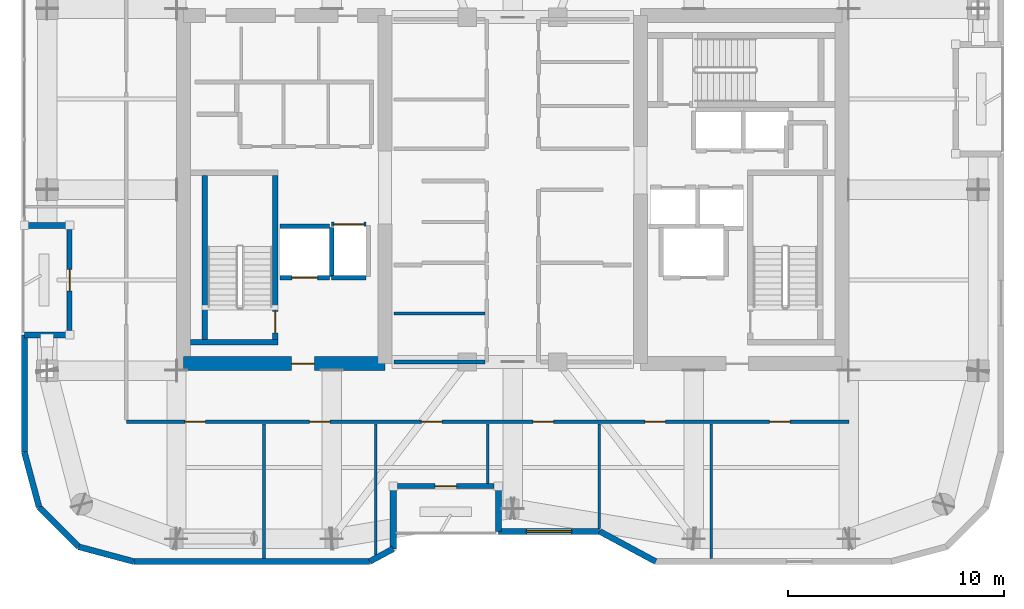
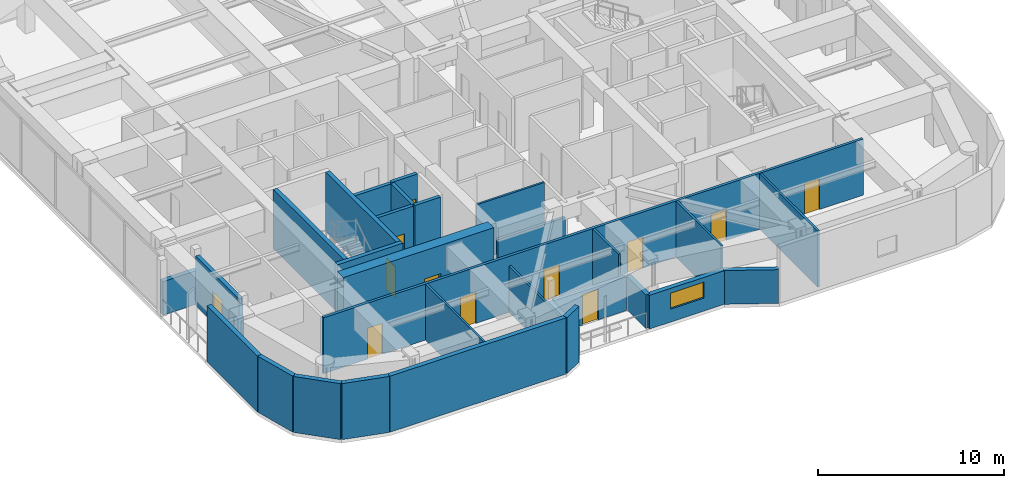
# One storey, part 15 of 21: 31 walls, 12 doors, 1 window, 13 openings.
"""IFC4 building model written with IfcOpenShell, lengths in metres."""

from ifc_helpers import new_model, si_unit, direction, frame, frame_2d, origin, place, context, subcontext, project, spatial, rectangle, extrude, material, layer, layer_set, type_object, element, fill, save


model = new_model("IFC4")

# Units and contexts
model_context = context("Model", 3, precision=1e-05, world=origin(), true_north=direction((0.0, 1.0)))
body_context = subcontext(model_context, "Body", "Model", "MODEL_VIEW")
ifc_project = project(units=[si_unit("LENGTHUNIT", "METRE"), si_unit("AREAUNIT", "SQUARE_METRE"), si_unit("VOLUMEUNIT", "CUBIC_METRE"), si_unit("PLANEANGLEUNIT", "RADIAN"), si_unit("MASSUNIT", "GRAM", prefix="KILO")], contexts=[model_context])

# Site, building, storey
site_placement = place(None, origin())
site = spatial("IfcSite", under=ifc_project, at=site_placement, CompositionType="ELEMENT")
building_placement = place(site_placement, origin())
building = spatial("IfcBuilding", under=site, at=building_placement, Name="Kiyonajd Concourse Tower", CompositionType="ELEMENT")
storey_placement = place(building_placement, frame((0.0, 0.0, 251.10009765625)))
storey = spatial("IfcBuildingStorey", under=building, at=storey_placement, Name="L63", CompositionType="ELEMENT", Elevation=251.10009765625)

# Wall, opening, door
ifc_material_1 = material(Name="Concrete C60/75", Category="concrete")
ifc_layer_1 = layer(ifc_material_1, 0.64990234375)
ifc_layer_set_1 = layer_set([ifc_layer_1], Name="Concrete C60/75")
wall_type_1 = type_object("IfcWallType", Name="WL-CORE-650", PredefinedType="SHEAR", material=ifc_layer_set_1)
wall_1_placement = place(storey_placement, frame((32.72509765625, 27.925048828125, 0.0), z_axis=(0.0, 0.0, 1.0), x_axis=(1.0, 0.0, 0.0)))
wall_1 = element("IfcWall", 1, at=wall_1_placement, inside=storey, type_object=wall_type_1, Name="L63 West Core South Shear Wall", PredefinedType="SHEAR", context=body_context, shape_type="SweptSolid", body=[
    extrude(rectangle(XDim=9.349853515625, YDim=0.64990234375, at=frame_2d((4.6748046875, 0.0))), origin(), (0.0, 0.0, 1.0), 3.89990234375),
])
opening_1_placement = place(wall_1_placement, frame((5.02490234375, 0.0, 0.0)))
opening_1 = element("IfcOpeningElement", 2, at=opening_1_placement, cuts=wall_1, Name="Opening DF5", PredefinedType="OPENING", context=body_context, shape_type="SweptSolid", body=[
    extrude(rectangle(XDim=1.050048828125, YDim=2.0400390625, at=frame_2d((0.52490234375, 1.02001953125))), frame((0.0, 0.3349609375, 0.0), z_axis=(0.0, -1.0, 0.0), x_axis=(1.0, 0.0, 0.0)), (0.0, 0.0, 1.0), 0.669921875),
])
ifc_material_2 = material(Name="Brushed Stainless Steel Cab Assembly", Category="steel")
door_type_1 = type_object("IfcDoorType", Name="DR-FD45-1050", OperationType="NOTDEFINED", PredefinedType="DOOR", material=ifc_material_2)
door_1_placement = place(opening_1_placement, origin())
door_1 = element("IfcDoor", 3, at=door_1_placement, inside=storey, type_object=door_type_1, Name="L63 Firefighting Lift Lobby W Smoke Door", OperationType="SINGLE_SWING_LEFT", OverallHeight=2.0400390625, OverallWidth=1.050048828125, PredefinedType="DOOR", context=body_context, shape_type="SweptSolid", body=[
    extrude(rectangle(XDim=1.050048828125, YDim=2.0400390625, at=frame_2d((0.52490234375, 1.02001953125))), frame((0.0, 0.02490234375, 0.0), z_axis=(0.0, -1.0, 0.0), x_axis=(1.0, 0.0, 0.0)), (0.0, 0.0, 1.0), 0.050048828125),
])
fill(opening_1, door_1)

# Walls
ifc_material_3 = material(Name="Precast concrete C50/60", Category="concrete")
ifc_layer_2 = layer(ifc_material_3, 0.280029296875)
ifc_layer_set_2 = layer_set([ifc_layer_2], Name="Precast concrete C50/60")
wall_type_2 = type_object("IfcWallType", Name="WL-EXT-280", PredefinedType="SOLIDWALL", material=ifc_layer_set_2)
wall_2_placement = place(storey_placement, frame((26.0224609375, 21.2724609375, 0.0), z_axis=(0.0, 0.0, 1.0), x_axis=(-0.2588904131, 0.965906700466, 0.0)))
element("IfcWall", 4, at=wall_2_placement, inside=storey, type_object=wall_type_2, Name="L63 Exterior Concrete Frame Wall 00", PredefinedType="SOLIDWALL", context=body_context, shape_type="SweptSolid", body=[
    extrude(rectangle(XDim=2.6357421875, YDim=0.280029296875, at=frame_2d((1.31787109375, 0.0))), origin(), (0.0, 0.0, 1.0), 3.679931640625),
])
wall_3_placement = place(storey_placement, frame((25.340087890625, 23.818359375, 0.0), z_axis=(0.0, 0.0, 1.0), x_axis=(0.0, 1.0, 0.0)))
element("IfcWall", 5, at=wall_3_placement, inside=storey, type_object=wall_type_2, Name="L63 Exterior Concrete Frame Wall 01", PredefinedType="SOLIDWALL", context=body_context, shape_type="SweptSolid", body=[
    extrude(rectangle(XDim=5.441650390625, YDim=0.280029296875, at=frame_2d((2.720703125, 0.0))), origin(), (0.0, 0.0, 1.0), 3.679931640625),
])
for number, where, z_axis, x_axis, name in (
    (6, (25.340087890625, 29.260009765625, 0.0), (0.0, 0.0, 1.0), (1.0, 0.0, 0.0), "L63 Exterior Concrete Frame Wall 02"),
    (7, (27.43994140625, 34.340087890625, 0.0), (0.0, 0.0, 1.0), (-1.0, 0.0, 0.0), "L63 Exterior Concrete Frame Wall 04"),
):
    element("IfcWall", number, at=place(storey_placement, frame(where, z_axis=z_axis, x_axis=x_axis)), inside=storey, type_object=wall_type_2, Name=name, PredefinedType="SOLIDWALL", context=body_context, shape_type="SweptSolid", body=[
        extrude(rectangle(XDim=2.099853515625, YDim=0.280029296875, at=frame_2d((1.0498046875, 0.0))), origin(), (0.0, 0.0, 1.0), 2.21484375),
    ])
wall_4_placement = place(storey_placement, frame((54.63525390625, 18.739990234375, 0.0), z_axis=(0.0, 0.0, 1.0), x_axis=(-0.880473754814, 0.474094892488, 0.0)))
element("IfcWall", 8, at=wall_4_placement, inside=storey, type_object=wall_type_2, Name="L63 Exterior Concrete Frame Wall 29", PredefinedType="SOLIDWALL", context=body_context, shape_type="SweptSolid", body=[
    extrude(rectangle(XDim=2.952880859375, YDim=0.280029296875, at=frame_2d((1.4765625, 0.0))), origin(), (0.0, 0.0, 1.0), 2.21484375),
])

# Wall, opening, window
wall_5_placement = place(storey_placement, frame((52.035400390625, 20.139892578125, 0.0), z_axis=(0.0, 0.0, 1.0), x_axis=(-1.0, 0.0, 0.0)))
wall_5 = element("IfcWall", 9, at=wall_5_placement, inside=storey, type_object=wall_type_2, Name="L63 Exterior Concrete Frame Wall 30", PredefinedType="SOLIDWALL", context=body_context, shape_type="SweptSolid", body=[
    extrude(rectangle(XDim=4.6953125, YDim=0.280029296875, at=frame_2d((2.34765625, 0.0))), origin(), (0.0, 0.0, 1.0), 2.21484375),
])
opening_2_placement = place(wall_5_placement, frame((1.298095703125, 0.0, 0.85009765625)))
opening_2 = element("IfcOpeningElement", 10, at=opening_2_placement, cuts=wall_5, Name="Opening WN5", PredefinedType="OPENING", context=body_context, shape_type="SweptSolid", body=[
    extrude(rectangle(XDim=2.10009765625, YDim=1.050048828125, at=frame_2d((1.050048828125, 0.52490234375))), frame((0.0, 0.14990234375, 0.0), z_axis=(0.0, -1.0, 0.0), x_axis=(1.0, 0.0, 0.0)), (0.0, 0.0, 1.0), 0.300048828125),
])
ifc_material_4 = material(Name="Double Low-E Insulated Glass", Category="glass")
window_type = type_object("IfcWindowType", Name="WN-VIS-2100x1050", PartitioningType="SINGLE_PANEL", PredefinedType="WINDOW", material=ifc_material_4)
window_placement = place(opening_2_placement, origin())
window = element("IfcWindow", 11, at=window_placement, inside=storey, type_object=window_type, Name="L63 Modular Facade Vision Window 30", OverallHeight=1.050048828125, OverallWidth=2.10009765625, PartitioningType="SINGLE_PANEL", PredefinedType="WINDOW", context=body_context, shape_type="SweptSolid", body=[
    extrude(rectangle(XDim=2.10009765625, YDim=1.050048828125, at=frame_2d((1.050048828125, 0.52490234375))), frame((0.0, 0.030029296875, 0.0), z_axis=(0.0, -1.0, 0.0), x_axis=(1.0, 0.0, 0.0)), (0.0, 0.0, 1.0), 0.06005859375),
])
fill(opening_2, window)

# Walls
wall_6_placement = place(storey_placement, frame((47.340087890625, 20.139892578125, 0.0), z_axis=(0.0, 0.0, 1.0), x_axis=(0.0, 1.0, 0.0)))
element("IfcWall", 12, at=wall_6_placement, inside=storey, type_object=wall_type_2, Name="L63 Exterior Concrete Frame Wall 31", PredefinedType="SOLIDWALL", context=body_context, shape_type="SweptSolid", body=[
    extrude(rectangle(XDim=2.10009765625, YDim=0.280029296875, at=frame_2d((1.050048828125, 0.0))), origin(), (0.0, 0.0, 1.0), 2.21484375),
])
wall_7_placement = place(storey_placement, frame((42.4599609375, 22.239990234375, 0.0), z_axis=(0.0, 0.0, 1.0), x_axis=(0.0, -1.0, 0.0)))
element("IfcWall", 13, at=wall_7_placement, inside=storey, type_object=wall_type_2, Name="L63 Exterior Concrete Frame Wall 33", PredefinedType="SOLIDWALL", context=body_context, shape_type="SweptSolid", body=[
    extrude(rectangle(XDim=2.910400390625, YDim=0.280029296875, at=frame_2d((1.455078125, 0.0))), origin(), (0.0, 0.0, 1.0), 2.21484375),
])
wall_8_placement = place(storey_placement, frame((42.4599609375, 19.32958984375, 0.0), z_axis=(0.0, 0.0, 1.0), x_axis=(-0.880515214249, -0.474017887296, 0.0)))
element("IfcWall", 14, at=wall_8_placement, inside=storey, type_object=wall_type_2, Name="L63 Exterior Concrete Frame Wall 34", PredefinedType="SOLIDWALL", context=body_context, shape_type="SweptSolid", body=[
    extrude(rectangle(XDim=1.243896484375, YDim=0.280029296875, at=frame_2d((0.6220703125, 0.0))), origin(), (0.0, 0.0, 1.0), 3.679931640625),
])
wall_9_placement = place(storey_placement, frame((41.36474609375, 18.739990234375, 0.0), z_axis=(0.0, 0.0, 1.0), x_axis=(-1.0, 0.0, 0.0)))
element("IfcWall", 15, at=wall_9_placement, inside=storey, type_object=wall_type_2, Name="L63 Exterior Concrete Frame Wall 35", PredefinedType="SOLIDWALL", context=body_context, shape_type="SweptSolid", body=[
    extrude(rectangle(XDim=10.9462890625, YDim=0.280029296875, at=frame_2d((5.47314453125, 0.0))), origin(), (0.0, 0.0, 1.0), 3.679931640625),
])
wall_10_placement = place(storey_placement, frame((30.41845703125, 18.739990234375, 0.0), z_axis=(0.0, 0.0, 1.0), x_axis=(-0.965883534663, 0.258976828051, 0.0)))
element("IfcWall", 16, at=wall_10_placement, inside=storey, type_object=wall_type_2, Name="L63 Exterior Concrete Frame Wall 36", PredefinedType="SOLIDWALL", context=body_context, shape_type="SweptSolid", body=[
    extrude(rectangle(XDim=2.6357421875, YDim=0.280029296875, at=frame_2d((1.31787109375, 0.0))), origin(), (0.0, 0.0, 1.0), 3.679931640625),
])
wall_11_placement = place(storey_placement, frame((27.87255859375, 19.422607421875, 0.0), z_axis=(0.0, 0.0, 1.0), x_axis=(-0.707153437963, 0.707060121331, 0.0)))
element("IfcWall", 17, at=wall_11_placement, inside=storey, type_object=wall_type_2, Name="L63 Exterior Concrete Frame Wall 37", PredefinedType="SOLIDWALL", context=body_context, shape_type="SweptSolid", body=[
    extrude(rectangle(XDim=2.6162109375, YDim=0.280029296875, at=frame_2d((1.30810546875, 0.0))), origin(), (0.0, 0.0, 1.0), 3.679931640625),
])

# Wall, opening, door
ifc_layer_3 = layer(ifc_material_3, 0.239990234375)
ifc_layer_set_3 = layer_set([ifc_layer_3], Name="Precast concrete C50/60")
wall_type_3 = type_object("IfcWallType", Name="WL-LOG-240", PredefinedType="SOLIDWALL", material=ifc_layer_set_3)
wall_12_placement = place(storey_placement, frame((27.43994140625, 29.455078125, 0.0), z_axis=(0.0, 0.0, 1.0), x_axis=(0.0, 1.0, 0.0)))
wall_12 = element("IfcWall", 18, at=wall_12_placement, inside=storey, type_object=wall_type_3, Name="L63 Recessed Loggia Thermal Wall LOG-W", PredefinedType="SOLIDWALL", context=body_context, shape_type="SweptSolid", body=[
    extrude(rectangle(XDim=4.68994140625, YDim=0.239990234375, at=frame_2d((2.344970703125, 0.0))), origin(), (0.0, 0.0, 1.0), 3.247802734375),
])
opening_3_placement = place(wall_12_placement, frame((1.844970703125, 0.0, 0.0)))
opening_3 = element("IfcOpeningElement", 19, at=opening_3_placement, cuts=wall_12, Name="Opening DL1", PredefinedType="OPENING", context=body_context, shape_type="SweptSolid", body=[
    extrude(rectangle(XDim=1.0, YDim=2.02001953125, at=frame_2d((0.5, 1.010009765625))), frame((0.0, 0.1298828125, 0.0), z_axis=(0.0, -1.0, 0.0), x_axis=(1.0, 0.0, 0.0)), (0.0, 0.0, 1.0), 0.260009765625),
])
ifc_material_5 = material(Name="Thermally Broken Anodised Aluminium", Category="aluminium")
door_type_2 = type_object("IfcDoorType", Name="DR-LOG-1000", OperationType="NOTDEFINED", PredefinedType="DOOR", material=ifc_material_5)
door_2_placement = place(opening_3_placement, origin())
door_2 = element("IfcDoor", 20, at=door_2_placement, inside=storey, type_object=door_type_2, Name="L63 Engawa Loggia Access Door LOG-W", OperationType="SINGLE_SWING_LEFT", OverallHeight=2.02001953125, OverallWidth=1.0, PredefinedType="DOOR", context=body_context, shape_type="SweptSolid", body=[
    extrude(rectangle(XDim=1.0, YDim=2.02001953125, at=frame_2d((0.5, 1.010009765625))), frame((0.0, 0.02490234375, 0.0), z_axis=(0.0, -1.0, 0.0), x_axis=(1.0, 0.0, 0.0)), (0.0, 0.0, 1.0), 0.050048828125),
])
fill(opening_3, door_2)

wall_13_placement = place(storey_placement, frame((47.14501953125, 22.239990234375, 0.0), z_axis=(0.0, 0.0, 1.0), x_axis=(-1.0, 0.0, 0.0)))
wall_13 = element("IfcWall", 21, at=wall_13_placement, inside=storey, type_object=wall_type_3, Name="L63 Recessed Loggia Thermal Wall LOG-S", PredefinedType="SOLIDWALL", context=body_context, shape_type="SweptSolid", body=[
    extrude(rectangle(XDim=4.489990234375, YDim=0.239990234375, at=frame_2d((2.2451171875, 0.0))), origin(), (0.0, 0.0, 1.0), 2.21484375),
])
opening_4_placement = place(wall_13_placement, frame((1.7451171875, 0.0, 0.0)))
opening_4 = element("IfcOpeningElement", 22, at=opening_4_placement, cuts=wall_13, Name="Opening DL1", PredefinedType="OPENING", context=body_context, shape_type="SweptSolid", body=[
    extrude(rectangle(XDim=1.0, YDim=2.02001953125, at=frame_2d((0.5, 1.010009765625))), frame((0.0, 0.1298828125, 0.0), z_axis=(0.0, -1.0, 0.0), x_axis=(1.0, 0.0, 0.0)), (0.0, 0.0, 1.0), 0.260009765625),
])
door_3_placement = place(opening_4_placement, origin())
door_3 = element("IfcDoor", 23, at=door_3_placement, inside=storey, type_object=door_type_2, Name="L63 Engawa Loggia Access Door LOG-S", OperationType="SINGLE_SWING_RIGHT", OverallHeight=2.02001953125, OverallWidth=1.0, PredefinedType="DOOR", context=body_context, shape_type="SweptSolid", body=[
    extrude(rectangle(XDim=1.0, YDim=2.02001953125, at=frame_2d((0.5, 1.010009765625))), frame((0.0, 0.02490234375, 0.0), z_axis=(0.0, -1.0, 0.0), x_axis=(1.0, 0.0, 0.0)), (0.0, 0.0, 1.0), 0.050048828125),
])
fill(opening_4, door_3)

# Walls
ifc_material_6 = material(Name="Gypsum Board on Cold-Formed Steel Stud", Category="steel")
ifc_layer_4 = layer(ifc_material_6, 0.125)
ifc_layer_set_4 = layer_set([ifc_layer_4], Name="Gypsum Board on Cold-Formed Steel Stud")
wall_type_4 = type_object("IfcWallType", Name="WL-PART-125", PredefinedType="PARTITIONING", material=ifc_layer_set_4)
wall_14_placement = place(storey_placement, frame((42.5, 30.25, 0.0), z_axis=(0.0, 0.0, 1.0), x_axis=(1.0, 0.0, 0.0)))
element("IfcWall", 24, at=wall_14_placement, inside=storey, type_object=wall_type_4, Name="L63 Interior Partition Wall", PredefinedType="PARTITIONING", context=body_context, shape_type="SweptSolid", body=[
    extrude(rectangle(XDim=4.212890625, YDim=0.125, at=frame_2d((2.1064453125, 0.0))), origin(), (0.0, 0.0, 1.0), 3.679931640625),
])
wall_15_placement = place(storey_placement, frame((36.4599609375, 18.875, 0.0), z_axis=(0.0, 0.0, 1.0), x_axis=(0.0, 1.0, 0.0)))
element("IfcWall", 25, at=wall_15_placement, inside=storey, type_object=wall_type_4, Name="L63 Interior Partition Wall", PredefinedType="PARTITIONING", context=body_context, shape_type="SweptSolid", body=[
    extrude(rectangle(XDim=6.258056640625, YDim=0.125, at=frame_2d((3.12890625, 0.0))), origin(), (0.0, 0.0, 1.0), 3.679931640625),
])
wall_16_placement = place(storey_placement, frame((41.64990234375, 19.049072265625, 0.0), z_axis=(0.0, 0.0, 1.0), x_axis=(0.0, 1.0, 0.0)))
element("IfcWall", 26, at=wall_16_placement, inside=storey, type_object=wall_type_4, Name="L63 Interior Partition Wall", PredefinedType="PARTITIONING", context=body_context, shape_type="SweptSolid", body=[
    extrude(rectangle(XDim=6.083984375, YDim=0.125, at=frame_2d((3.0419921875, 0.0))), origin(), (0.0, 0.0, 1.0), 3.04296875),
])
wall_17_placement = place(storey_placement, frame((46.840087890625, 22.35498046875, 0.0), z_axis=(0.0, 0.0, 1.0), x_axis=(0.0, 1.0, 0.0)))
element("IfcWall", 27, at=wall_17_placement, inside=storey, type_object=wall_type_4, Name="L63 Interior Partition Wall", PredefinedType="PARTITIONING", context=body_context, shape_type="SweptSolid", body=[
    extrude(rectangle(XDim=2.778076171875, YDim=0.125, at=frame_2d((1.38916015625, 0.0))), origin(), (0.0, 0.0, 1.0), 3.679931640625),
])
wall_18_placement = place(storey_placement, frame((52.02001953125, 20.282958984375, 0.0), z_axis=(0.0, 0.0, 1.0), x_axis=(0.0, 1.0, 0.0)))
element("IfcWall", 28, at=wall_18_placement, inside=storey, type_object=wall_type_4, Name="L63 Interior Partition Wall", PredefinedType="PARTITIONING", context=body_context, shape_type="SweptSolid", body=[
    extrude(rectangle(XDim=4.85009765625, YDim=0.125, at=frame_2d((2.425048828125, 0.0))), origin(), (0.0, 0.0, 1.0), 3.679931640625),
])
wall_19_placement = place(storey_placement, frame((57.2099609375, 18.875, 0.0), z_axis=(0.0, 0.0, 1.0), x_axis=(0.0, 1.0, 0.0)))
element("IfcWall", 29, at=wall_19_placement, inside=storey, type_object=wall_type_4, Name="L63 Interior Partition Wall", PredefinedType="PARTITIONING", context=body_context, shape_type="SweptSolid", body=[
    extrude(rectangle(XDim=6.258056640625, YDim=0.125, at=frame_2d((3.12890625, 0.0))), origin(), (0.0, 0.0, 1.0), 3.679931640625),
])

# Wall, opening, door
ifc_layer_5 = layer(ifc_material_6, 0.2099609375)
ifc_layer_set_5 = layer_set([ifc_layer_5], Name="Gypsum Board on Cold-Formed Steel Stud")
wall_type_5 = type_object("IfcWallType", Name="WL-SHAFT-210", PredefinedType="PARTITIONING", material=ifc_layer_set_5)
wall_20_placement = place(storey_placement, frame((37.199951171875, 31.89990234375, 0.0), z_axis=(0.0, 0.0, 1.0), x_axis=(1.0, 0.0, 0.0)))
wall_20 = element("IfcWall", 30, at=wall_20_placement, inside=storey, type_object=wall_type_5, Name="L63 Shaft Enclosure Wall", PredefinedType="PARTITIONING", context=body_context, shape_type="SweptSolid", body=[
    extrude(rectangle(XDim=2.300048828125, YDim=0.2099609375, at=frame_2d((1.14990234375, 0.0))), origin(), (0.0, 0.0, 1.0), 3.679931640625),
])
opening_5_placement = place(wall_20_placement, frame((0.550048828125, 0.0, 0.0)))
opening_5 = element("IfcOpeningElement", 31, at=opening_5_placement, cuts=wall_20, Name="Opening LD2", PredefinedType="OPENING", context=body_context, shape_type="SweptSolid", body=[
    extrude(rectangle(XDim=1.199951171875, YDim=2.0400390625, at=frame_2d((0.60009765625, 1.02001953125))), frame((0.0, 0.114990234375, 0.0), z_axis=(0.0, -1.0, 0.0), x_axis=(1.0, 0.0, 0.0)), (0.0, 0.0, 1.0), 0.22998046875),
])
door_type_3 = type_object("IfcDoorType", Name="DR-LD-1200", OperationType="DOUBLE_DOOR_SLIDING", PredefinedType="DOOR", material=ifc_material_2)
door_4_placement = place(opening_5_placement, origin())
door_4 = element("IfcDoor", 32, at=door_4_placement, inside=storey, type_object=door_type_3, Name="L63 Lift FFL1 Sliding Landing Door", OperationType="DOUBLE_DOOR_SLIDING", OverallHeight=2.0400390625, OverallWidth=1.199951171875, PredefinedType="DOOR", context=body_context, shape_type="SweptSolid", body=[
    extrude(rectangle(XDim=1.199951171875, YDim=2.0400390625, at=frame_2d((0.60009765625, 1.02001953125))), frame((0.0, 0.02490234375, 0.0), z_axis=(0.0, -1.0, 0.0), x_axis=(1.0, 0.0, 0.0)), (0.0, 0.0, 1.0), 0.050048828125),
])
fill(opening_5, door_4)

# Walls
wall_21_placement = place(storey_placement, frame((37.199951171875, 34.300048828125, 0.0), z_axis=(0.0, 0.0, 1.0), x_axis=(1.0, 0.0, 0.0)))
element("IfcWall", 33, at=wall_21_placement, inside=storey, type_object=wall_type_5, Name="L63 Shaft Enclosure Wall", PredefinedType="PARTITIONING", context=body_context, shape_type="SweptSolid", body=[
    extrude(rectangle(XDim=2.300048828125, YDim=0.2099609375, at=frame_2d((1.14990234375, 0.0))), origin(), (0.0, 0.0, 1.0), 3.679931640625),
])
wall_22_placement = place(storey_placement, frame((39.60009765625, 31.9599609375, 0.0), z_axis=(0.0, 0.0, 1.0), x_axis=(0.0, 1.0, 0.0)))
element("IfcWall", 34, at=wall_22_placement, inside=storey, type_object=wall_type_5, Name="L63 Shaft Enclosure Wall", PredefinedType="PARTITIONING", context=body_context, shape_type="SweptSolid", body=[
    extrude(rectangle(XDim=2.280029296875, YDim=0.2099609375, at=frame_2d((1.14013671875, 0.0))), origin(), (0.0, 0.0, 1.0), 3.679931640625),
])

# Wall, opening, door
wall_23_placement = place(storey_placement, frame((39.60009765625, 34.39990234375, 0.0), z_axis=(0.0, 0.0, 1.0), x_axis=(1.0, 0.0, 0.0)))
wall_23 = element("IfcWall", 35, at=wall_23_placement, inside=storey, type_object=wall_type_5, Name="L63 Shaft Enclosure Wall", PredefinedType="PARTITIONING", context=body_context, shape_type="SweptSolid", body=[
    extrude(rectangle(XDim=1.599853515625, YDim=0.2099609375, at=frame_2d((0.7998046875, 0.0))), origin(), (0.0, 0.0, 1.0), 3.679931640625),
])
opening_6_placement = place(wall_23_placement, frame((0.10009765625, 0.0, 0.0)))
opening_6 = element("IfcOpeningElement", 36, at=opening_6_placement, cuts=wall_23, Name="Opening LD3", PredefinedType="OPENING", context=body_context, shape_type="SweptSolid", body=[
    extrude(rectangle(XDim=1.39990234375, YDim=2.06005859375, at=frame_2d((0.699951171875, 1.030029296875))), frame((0.0, 0.114990234375, 0.0), z_axis=(0.0, -1.0, 0.0), x_axis=(1.0, 0.0, 0.0)), (0.0, 0.0, 1.0), 0.22998046875),
])
door_type_4 = type_object("IfcDoorType", Name="DR-LD-1400", OperationType="DOUBLE_DOOR_SLIDING", PredefinedType="DOOR", material=ifc_material_2)
door_5_placement = place(opening_6_placement, origin())
door_5 = element("IfcDoor", 37, at=door_5_placement, inside=storey, type_object=door_type_4, Name="L63 Lift SVL1 Sliding Landing Door", OperationType="DOUBLE_DOOR_SLIDING", OverallHeight=2.06005859375, OverallWidth=1.39990234375, PredefinedType="DOOR", context=body_context, shape_type="SweptSolid", body=[
    extrude(rectangle(XDim=1.39990234375, YDim=2.06005859375, at=frame_2d((0.699951171875, 1.030029296875))), frame((0.0, 0.02490234375, 0.0), z_axis=(0.0, -1.0, 0.0), x_axis=(1.0, 0.0, 0.0)), (0.0, 0.0, 1.0), 0.050048828125),
])
fill(opening_6, door_5)

# Walls
wall_24_placement = place(storey_placement, frame((39.60009765625, 31.89990234375, 0.0), z_axis=(0.0, 0.0, 1.0), x_axis=(1.0, 0.0, 0.0)))
element("IfcWall", 38, at=wall_24_placement, inside=storey, type_object=wall_type_5, Name="L63 Shaft Enclosure Wall", PredefinedType="PARTITIONING", context=body_context, shape_type="SweptSolid", body=[
    extrude(rectangle(XDim=1.599853515625, YDim=0.2099609375, at=frame_2d((0.7998046875, 0.0))), origin(), (0.0, 0.0, 1.0), 3.679931640625),
])
ifc_layer_6 = layer(ifc_material_6, 0.169921875)
ifc_layer_set_6 = layer_set([ifc_layer_6], Name="Gypsum Board on Cold-Formed Steel Stud")
wall_type_6 = type_object("IfcWallType", Name="WL-SMK-170", PredefinedType="PARTITIONING", material=ifc_layer_set_6)
wall_25_placement = place(storey_placement, frame((42.5, 28.0, 0.0), z_axis=(0.0, 0.0, 1.0), x_axis=(1.0, 0.0, 0.0)))
element("IfcWall", 39, at=wall_25_placement, inside=storey, type_object=wall_type_6, Name="L63 Interior Partition Wall", PredefinedType="PARTITIONING", context=body_context, shape_type="SweptSolid", body=[
    extrude(rectangle(XDim=4.212890625, YDim=0.169921875, at=frame_2d((2.1064453125, 0.0))), origin(), (0.0, 0.0, 1.0), 2.764892578125),
])

# Wall, openings, doors
wall_26_placement = place(storey_placement, frame((30.074951171875, 25.219970703125, 0.0), z_axis=(0.0, 0.0, 1.0), x_axis=(1.0, 0.0, 0.0)))
wall_26 = element("IfcWall", 40, at=wall_26_placement, inside=storey, type_object=wall_type_6, Name="L63 Interior Partition Wall", PredefinedType="PARTITIONING", context=body_context, shape_type="SweptSolid", body=[
    extrude(rectangle(XDim=33.525146484375, YDim=0.169921875, at=frame_2d((16.7626953125, 0.0))), origin(), (0.0, 0.0, 1.0), 3.679931640625),
])
opening_7_placement = place(wall_26_placement, frame((2.717041015625, 0.0, 0.0)))
opening_7 = element("IfcOpeningElement", 41, at=opening_7_placement, cuts=wall_26, Name="Opening DI1", PredefinedType="OPENING", context=body_context, shape_type="SweptSolid", body=[
    extrude(rectangle(XDim=0.949951171875, YDim=2.0400390625, at=frame_2d((0.47509765625, 1.02001953125))), frame((0.0, 0.094970703125, 0.0), z_axis=(0.0, -1.0, 0.0), x_axis=(1.0, 0.0, 0.0)), (0.0, 0.0, 1.0), 0.18994140625),
])
opening_8_placement = place(wall_26_placement, frame((8.5048828125, 0.0, 0.0)))
opening_8 = element("IfcOpeningElement", 42, at=opening_8_placement, cuts=wall_26, Name="Opening DI1", PredefinedType="OPENING", context=body_context, shape_type="SweptSolid", body=[
    extrude(rectangle(XDim=0.949951171875, YDim=2.0400390625, at=frame_2d((0.47509765625, 1.02001953125))), frame((0.0, 0.094970703125, 0.0), z_axis=(0.0, -1.0, 0.0), x_axis=(1.0, 0.0, 0.0)), (0.0, 0.0, 1.0), 0.18994140625),
])
opening_9_placement = place(wall_26_placement, frame((13.695068359375, 0.0, 0.0)))
opening_9 = element("IfcOpeningElement", 43, at=opening_9_placement, cuts=wall_26, Name="Opening DI1", PredefinedType="OPENING", context=body_context, shape_type="SweptSolid", body=[
    extrude(rectangle(XDim=0.949951171875, YDim=2.0400390625, at=frame_2d((0.47509765625, 1.02001953125))), frame((0.0, 0.094970703125, 0.0), z_axis=(0.0, -1.0, 0.0), x_axis=(1.0, 0.0, 0.0)), (0.0, 0.0, 1.0), 0.18994140625),
])
opening_10_placement = place(wall_26_placement, frame((18.8798828125, 0.0, 0.0)))
opening_10 = element("IfcOpeningElement", 44, at=opening_10_placement, cuts=wall_26, Name="Opening DI1", PredefinedType="OPENING", context=body_context, shape_type="SweptSolid", body=[
    extrude(rectangle(XDim=0.949951171875, YDim=2.0400390625, at=frame_2d((0.47509765625, 1.02001953125))), frame((0.0, 0.094970703125, 0.0), z_axis=(0.0, -1.0, 0.0), x_axis=(1.0, 0.0, 0.0)), (0.0, 0.0, 1.0), 0.18994140625),
])
opening_11_placement = place(wall_26_placement, frame((24.06494140625, 0.0, 0.0)))
opening_11 = element("IfcOpeningElement", 45, at=opening_11_placement, cuts=wall_26, Name="Opening DI1", PredefinedType="OPENING", context=body_context, shape_type="SweptSolid", body=[
    extrude(rectangle(XDim=0.949951171875, YDim=2.0400390625, at=frame_2d((0.47509765625, 1.02001953125))), frame((0.0, 0.094970703125, 0.0), z_axis=(0.0, -1.0, 0.0), x_axis=(1.0, 0.0, 0.0)), (0.0, 0.0, 1.0), 0.18994140625),
])
opening_12_placement = place(wall_26_placement, frame((29.85498046875, 0.0, 0.0)))
opening_12 = element("IfcOpeningElement", 46, at=opening_12_placement, cuts=wall_26, Name="Opening DI1", PredefinedType="OPENING", context=body_context, shape_type="SweptSolid", body=[
    extrude(rectangle(XDim=0.949951171875, YDim=2.0400390625, at=frame_2d((0.47509765625, 1.02001953125))), frame((0.0, 0.094970703125, 0.0), z_axis=(0.0, -1.0, 0.0), x_axis=(1.0, 0.0, 0.0)), (0.0, 0.0, 1.0), 0.18994140625),
])
ifc_material_7 = material(Name="Natural Oak Acoustic Timber Veneer", Category="wood")
door_type_5 = type_object("IfcDoorType", Name="DR-INT-950", OperationType="NOTDEFINED", PredefinedType="DOOR", material=ifc_material_7)
door_6_placement = place(opening_7_placement, origin())
door_6 = element("IfcDoor", 47, at=door_6_placement, inside=storey, type_object=door_type_5, Name="L63 Interior Door", OperationType="SINGLE_SWING_RIGHT", OverallHeight=2.0400390625, OverallWidth=0.949951171875, PredefinedType="DOOR", context=body_context, shape_type="SweptSolid", body=[
    extrude(rectangle(XDim=0.949951171875, YDim=2.0400390625, at=frame_2d((0.47509765625, 1.02001953125))), frame((0.0, 0.02490234375, 0.0), z_axis=(0.0, -1.0, 0.0), x_axis=(1.0, 0.0, 0.0)), (0.0, 0.0, 1.0), 0.050048828125),
])
fill(opening_7, door_6)
door_7_placement = place(opening_8_placement, origin())
door_7 = element("IfcDoor", 48, at=door_7_placement, inside=storey, type_object=door_type_5, Name="L63 Interior Door", OperationType="SINGLE_SWING_LEFT", OverallHeight=2.0400390625, OverallWidth=0.949951171875, PredefinedType="DOOR", context=body_context, shape_type="SweptSolid", body=[
    extrude(rectangle(XDim=0.949951171875, YDim=2.0400390625, at=frame_2d((0.47509765625, 1.02001953125))), frame((0.0, 0.02490234375, 0.0), z_axis=(0.0, -1.0, 0.0), x_axis=(1.0, 0.0, 0.0)), (0.0, 0.0, 1.0), 0.050048828125),
])
fill(opening_8, door_7)
door_8_placement = place(opening_9_placement, origin())
door_8 = element("IfcDoor", 49, at=door_8_placement, inside=storey, type_object=door_type_5, Name="L63 Interior Door", OperationType="SINGLE_SWING_RIGHT", OverallHeight=2.0400390625, OverallWidth=0.949951171875, PredefinedType="DOOR", context=body_context, shape_type="SweptSolid", body=[
    extrude(rectangle(XDim=0.949951171875, YDim=2.0400390625, at=frame_2d((0.47509765625, 1.02001953125))), frame((0.0, 0.02490234375, 0.0), z_axis=(0.0, -1.0, 0.0), x_axis=(1.0, 0.0, 0.0)), (0.0, 0.0, 1.0), 0.050048828125),
])
fill(opening_9, door_8)
door_9_placement = place(opening_10_placement, origin())
door_9 = element("IfcDoor", 50, at=door_9_placement, inside=storey, type_object=door_type_5, Name="L63 Interior Door", OperationType="SINGLE_SWING_LEFT", OverallHeight=2.0400390625, OverallWidth=0.949951171875, PredefinedType="DOOR", context=body_context, shape_type="SweptSolid", body=[
    extrude(rectangle(XDim=0.949951171875, YDim=2.0400390625, at=frame_2d((0.47509765625, 1.02001953125))), frame((0.0, 0.02490234375, 0.0), z_axis=(0.0, -1.0, 0.0), x_axis=(1.0, 0.0, 0.0)), (0.0, 0.0, 1.0), 0.050048828125),
])
fill(opening_10, door_9)
door_10_placement = place(opening_11_placement, origin())
door_10 = element("IfcDoor", 51, at=door_10_placement, inside=storey, type_object=door_type_5, Name="L63 Interior Door", OperationType="SINGLE_SWING_RIGHT", OverallHeight=2.0400390625, OverallWidth=0.949951171875, PredefinedType="DOOR", context=body_context, shape_type="SweptSolid", body=[
    extrude(rectangle(XDim=0.949951171875, YDim=2.0400390625, at=frame_2d((0.47509765625, 1.02001953125))), frame((0.0, 0.02490234375, 0.0), z_axis=(0.0, -1.0, 0.0), x_axis=(1.0, 0.0, 0.0)), (0.0, 0.0, 1.0), 0.050048828125),
])
fill(opening_11, door_10)
door_11_placement = place(opening_12_placement, origin())
door_11 = element("IfcDoor", 52, at=door_11_placement, inside=storey, type_object=door_type_5, Name="L63 Interior Door", OperationType="SINGLE_SWING_LEFT", OverallHeight=2.0400390625, OverallWidth=0.949951171875, PredefinedType="DOOR", context=body_context, shape_type="SweptSolid", body=[
    extrude(rectangle(XDim=0.949951171875, YDim=2.0400390625, at=frame_2d((0.47509765625, 1.02001953125))), frame((0.0, 0.02490234375, 0.0), z_axis=(0.0, -1.0, 0.0), x_axis=(1.0, 0.0, 0.0)), (0.0, 0.0, 1.0), 0.050048828125),
])
fill(opening_12, door_11)

# Walls
ifc_material_8 = material(Name="Concrete C50/60", Category="concrete")
ifc_layer_7 = layer(ifc_material_8, 0.260009765625)
ifc_layer_set_7 = layer_set([ifc_layer_7], Name="Concrete C50/60")
wall_type_7 = type_object("IfcWallType", Name="WL-STAIR-260", PredefinedType="SHEAR", material=ifc_layer_set_7)
wall_27_placement = place(storey_placement, frame((33.050048828125, 28.919921875, 0.0), z_axis=(0.0, 0.0, 1.0), x_axis=(1.0, 0.0, 0.0)))
element("IfcWall", 53, at=wall_27_placement, inside=storey, type_object=wall_type_7, Name="L63 Stair ST1 Structural South Wall", PredefinedType="SHEAR", context=body_context, shape_type="SweptSolid", body=[
    extrude(rectangle(XDim=4.06005859375, YDim=0.260009765625, at=frame_2d((2.030029296875, 0.0))), origin(), (0.0, 0.0, 1.0), 3.89990234375),
])
wall_28_placement = place(storey_placement, frame((33.719970703125, 29.050048828125, 0.0), z_axis=(0.0, 0.0, 1.0), x_axis=(0.0, 1.0, 0.0)))
element("IfcWall", 54, at=wall_28_placement, inside=storey, type_object=wall_type_7, Name="L63 Stair ST1 Structural West Wall", PredefinedType="SHEAR", context=body_context, shape_type="SweptSolid", body=[
    extrude(rectangle(XDim=7.599853515625, YDim=0.260009765625, at=frame_2d((3.7998046875, 0.0))), origin(), (0.0, 0.0, 1.0), 3.89990234375),
])

# Wall, opening, door
wall_29_placement = place(storey_placement, frame((36.97998046875, 29.050048828125, 0.0), z_axis=(0.0, 0.0, 1.0), x_axis=(0.0, 1.0, 0.0)))
wall_29 = element("IfcWall", 55, at=wall_29_placement, inside=storey, type_object=wall_type_7, Name="L63 Stair ST1 Structural East Wall", PredefinedType="SHEAR", context=body_context, shape_type="SweptSolid", body=[
    extrude(rectangle(XDim=7.599853515625, YDim=0.260009765625, at=frame_2d((3.7998046875, 0.0))), origin(), (0.0, 0.0, 1.0), 3.89990234375),
])
opening_13_placement = place(wall_29_placement, frame((0.300048828125, 0.0, 0.0)))
opening_13 = element("IfcOpeningElement", 56, at=opening_13_placement, cuts=wall_29, Name="Opening DF1", PredefinedType="OPENING", context=body_context, shape_type="SweptSolid", body=[
    extrude(rectangle(XDim=1.0, YDim=2.0400390625, at=frame_2d((0.5, 1.02001953125))), frame((0.0, 0.139892578125, 0.0), z_axis=(0.0, -1.0, 0.0), x_axis=(1.0, 0.0, 0.0)), (0.0, 0.0, 1.0), 0.280029296875),
])
door_type_6 = type_object("IfcDoorType", Name="DR-FD90-1000", OperationType="NOTDEFINED", PredefinedType="DOOR", material=ifc_material_2)
door_12_placement = place(opening_13_placement, origin())
door_12 = element("IfcDoor", 57, at=door_12_placement, inside=storey, type_object=door_type_6, Name="L63 Stair ST1 FSAE Door", OperationType="SINGLE_SWING_LEFT", OverallHeight=2.0400390625, OverallWidth=1.0, PredefinedType="DOOR", context=body_context, shape_type="SweptSolid", body=[
    extrude(rectangle(XDim=1.0, YDim=2.0400390625, at=frame_2d((0.5, 1.02001953125))), frame((0.0, 0.02490234375, 0.0), z_axis=(0.0, -1.0, 0.0), x_axis=(1.0, 0.0, 0.0)), (0.0, 0.0, 1.0), 0.050048828125),
])
fill(opening_13, door_12)

save(model, "model.ifc")
